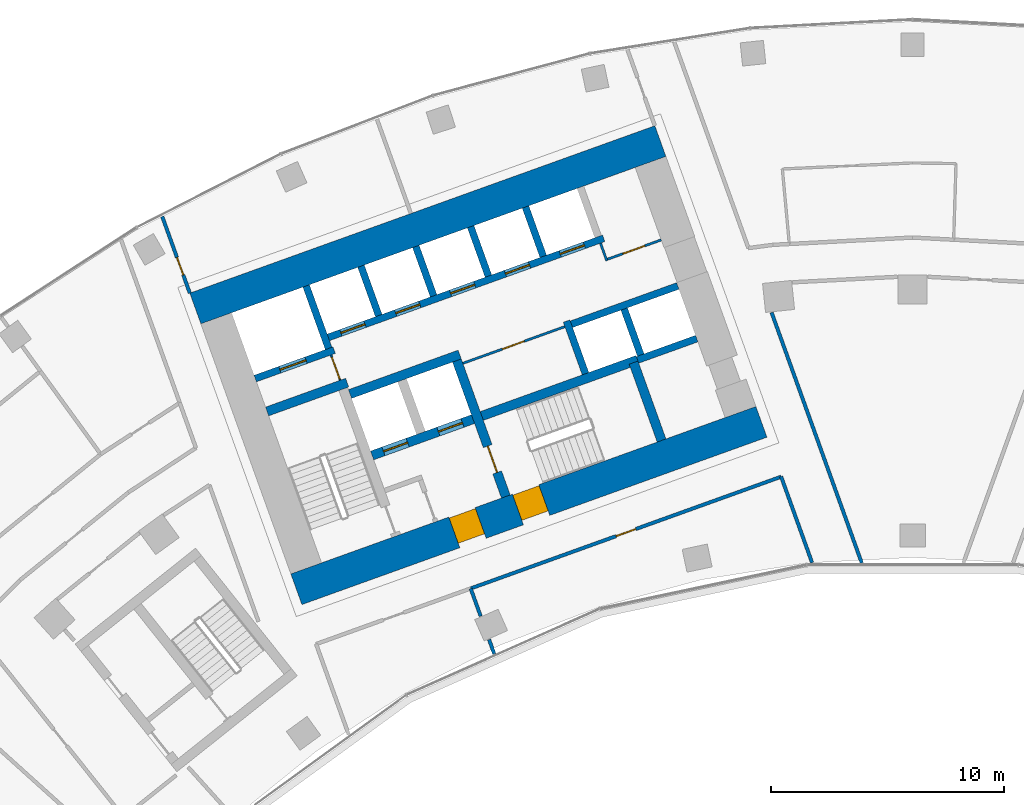
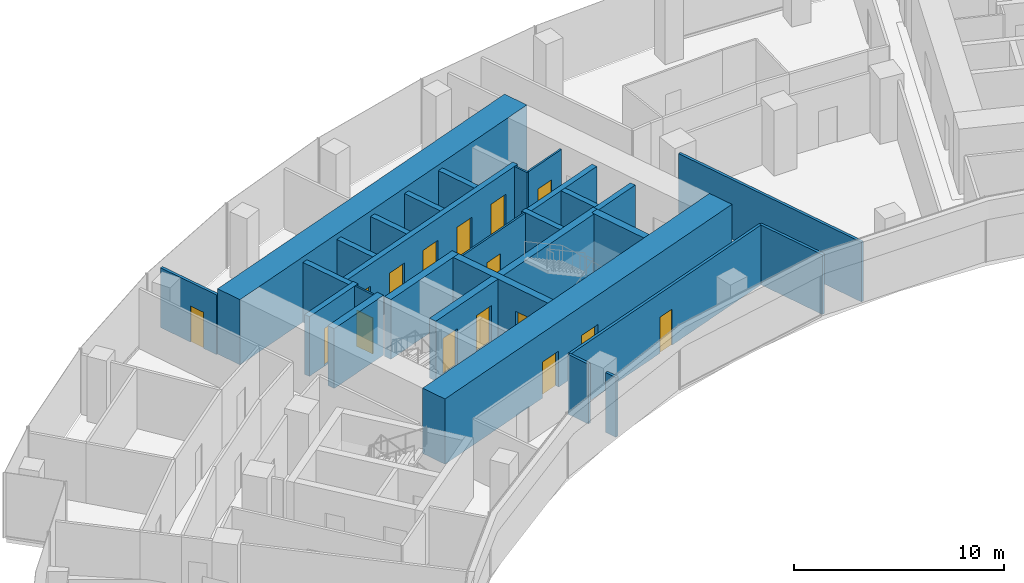
# One storey, part 14 of 20: 28 walls, 16 doors, 16 openings.
"""IFC4 building model written with IfcOpenShell, lengths in metres."""

from ifc_helpers import new_model, si_unit, direction, frame, frame_2d, origin, place, context, subcontext, project, spatial, rectangle, extrude, material, layer, layer_set, type_object, element, fill, save


model = new_model("IFC4")

# Units and contexts
model_context = context("Model", 3, precision=1e-05, world=origin(), true_north=direction((0.0, 1.0)))
body_context = subcontext(model_context, "Body", "Model", "MODEL_VIEW")
ifc_project = project(units=[si_unit("LENGTHUNIT", "METRE"), si_unit("AREAUNIT", "SQUARE_METRE"), si_unit("VOLUMEUNIT", "CUBIC_METRE"), si_unit("PLANEANGLEUNIT", "RADIAN"), si_unit("MASSUNIT", "GRAM", prefix="KILO")], contexts=[model_context])

# Site, building, storey
site_placement = place(None, origin())
site = spatial("IfcSite", under=ifc_project, at=site_placement, CompositionType="ELEMENT")
building_placement = place(site_placement, origin())
building = spatial("IfcBuilding", under=site, at=building_placement, Name="Stone Belt Terrace Tower", CompositionType="ELEMENT")
storey_placement = place(building_placement, frame((0.0, 0.0, 185.800048828125)))
storey = spatial("IfcBuildingStorey", under=building, at=storey_placement, Name="L45", CompositionType="ELEMENT", Elevation=185.800048828125)

# Wall, opening, door
ifc_material_1 = material(Name="Plasterboard partition")
ifc_layer_1 = layer(ifc_material_1, 0.10009765625)
ifc_layer_set_1 = layer_set([ifc_layer_1], Name="Core partition 100")
wall_type_1 = type_object("IfcWallType", Name="Core partition 100", PredefinedType="PARTITIONING", material=ifc_layer_set_1)
wall_1_placement = place(storey_placement, frame((-24.555908203125, 51.10400390625, 0.0), z_axis=(0.0, 0.0, 1.0), x_axis=(-0.338621735342, 0.94092258999, 0.0)))
wall_1 = element("IfcWall", 1, at=wall_1_placement, inside=storey, type_object=wall_type_1, Name="Core A wall", PredefinedType="PARTITIONING", context=body_context, shape_type="SweptSolid", body=[
    extrude(rectangle(XDim=1.14990234375, YDim=0.10009765625, at=frame_2d((0.574951171875, 0.0))), origin(), (0.0, 0.0, 1.0), 3.47998046875),
])
opening_1_placement = place(wall_1_placement, frame((0.050048828125, 0.0, 0.0)))
opening_1 = element("IfcOpeningElement", 2, at=opening_1_placement, cuts=wall_1, Name="Opening L45-C03", PredefinedType="OPENING", context=body_context, shape_type="SweptSolid", body=[
    extrude(rectangle(XDim=1.0, YDim=2.10009765625, at=frame_2d((0.5, 1.050048828125))), frame((0.0, 0.06005859375, 0.0), z_axis=(0.0, -1.0, 0.0), x_axis=(1.0, 0.0, 0.0)), (0.0, 0.0, 1.0), 0.1201171875),
])
ifc_material_2 = material(Name="Timber door leaf", Category="wood")
door_type_1 = type_object("IfcDoorType", Name="Core room door 1000", OperationType="SINGLE_SWING_LEFT", PredefinedType="DOOR", material=ifc_material_2)
door_1_placement = place(opening_1_placement, origin())
door_1 = element("IfcDoor", 3, at=door_1_placement, inside=storey, type_object=door_type_1, Name="Service lift lobby door core A", OperationType="SINGLE_SWING_RIGHT", OverallHeight=2.10009765625, OverallWidth=1.0, PredefinedType="DOOR", context=body_context, shape_type="SweptSolid", body=[
    extrude(rectangle(XDim=1.0, YDim=2.10009765625, at=frame_2d((0.5, 1.050048828125))), frame((0.0, 0.02490234375, 0.0), z_axis=(0.0, -1.0, 0.0), x_axis=(1.0, 0.0, 0.0)), (0.0, 0.0, 1.0), 0.050048828125),
])
fill(opening_1, door_1)

wall_2_placement = place(storey_placement, frame((-19.29052734375, 51.829833984375, 0.0), z_axis=(0.0, 0.0, 1.0), x_axis=(0.940930240745, 0.338600475563, 0.0)))
wall_2 = element("IfcWall", 4, at=wall_2_placement, inside=storey, type_object=wall_type_1, Name="Core A wall", PredefinedType="PARTITIONING", context=body_context, shape_type="SweptSolid", body=[
    extrude(rectangle(XDim=4.64990234375, YDim=0.10009765625, at=frame_2d((2.324951171875, 0.0))), origin(), (0.0, 0.0, 1.0), 3.47998046875),
])
opening_2_placement = place(wall_2_placement, frame((1.800048828125, 0.0, 0.0)))
opening_2 = element("IfcOpeningElement", 5, at=opening_2_placement, cuts=wall_2, Name="Opening L45-C02", PredefinedType="OPENING", context=body_context, shape_type="SweptSolid", body=[
    extrude(rectangle(XDim=1.0, YDim=2.10009765625, at=frame_2d((0.5, 1.050048828125))), frame((0.0, 0.06005859375, 0.0), z_axis=(0.0, -1.0, 0.0), x_axis=(1.0, 0.0, 0.0)), (0.0, 0.0, 1.0), 0.1201171875),
])
door_2_placement = place(opening_2_placement, origin())
door_2 = element("IfcDoor", 6, at=door_2_placement, inside=storey, type_object=door_type_1, Name="Door to Staff pantry core A", OperationType="SINGLE_SWING_RIGHT", OverallHeight=2.10009765625, OverallWidth=1.0, PredefinedType="DOOR", context=body_context, shape_type="SweptSolid", body=[
    extrude(rectangle(XDim=1.0, YDim=2.10009765625, at=frame_2d((0.5, 1.050048828125))), frame((0.0, 0.02490234375, 0.0), z_axis=(0.0, -1.0, 0.0), x_axis=(1.0, 0.0, 0.0)), (0.0, 0.0, 1.0), 0.050048828125),
])
fill(opening_2, door_2)

# Wall
wall_3_placement = place(storey_placement, frame((-13.115966796875, 56.230712890625, 0.0), z_axis=(0.0, 0.0, 1.0), x_axis=(-0.338481684961, 0.940972979923, 0.0)))
element("IfcWall", 7, at=wall_3_placement, inside=storey, type_object=wall_type_1, Name="Core A wall", PredefinedType="PARTITIONING", context=body_context, shape_type="SweptSolid", body=[
    extrude(rectangle(XDim=0.7998046875, YDim=0.10009765625, at=frame_2d((0.39990234375, 0.0))), origin(), (0.0, 0.0, 1.0), 3.47998046875),
])

# Wall, opening, door
wall_4_placement = place(storey_placement, frame((-13.085693359375, 56.294677734375, 0.0), z_axis=(0.0, 0.0, 1.0), x_axis=(0.940922976849, 0.338620660383, 0.0)))
wall_4 = element("IfcWall", 8, at=wall_4_placement, inside=storey, type_object=wall_type_1, Name="Core A wall", PredefinedType="PARTITIONING", context=body_context, shape_type="SweptSolid", body=[
    extrude(rectangle(XDim=2.449951171875, YDim=0.10009765625, at=frame_2d((1.22509765625, 0.0))), origin(), (0.0, 0.0, 1.0), 3.47998046875),
])
opening_3_placement = place(wall_4_placement, frame((0.699951171875, 0.0, 0.0)))
opening_3 = element("IfcOpeningElement", 9, at=opening_3_placement, cuts=wall_4, Name="Opening L45-C01", PredefinedType="OPENING", context=body_context, shape_type="SweptSolid", body=[
    extrude(rectangle(XDim=1.0, YDim=2.10009765625, at=frame_2d((0.5, 1.050048828125))), frame((0.0, 0.06005859375, 0.0), z_axis=(0.0, -1.0, 0.0), x_axis=(1.0, 0.0, 0.0)), (0.0, 0.0, 1.0), 0.1201171875),
])
door_3_placement = place(opening_3_placement, origin())
door_3 = element("IfcDoor", 10, at=door_3_placement, inside=storey, type_object=door_type_1, Name="Door to Meeting store core A", OperationType="SINGLE_SWING_RIGHT", OverallHeight=2.10009765625, OverallWidth=1.0, PredefinedType="DOOR", context=body_context, shape_type="SweptSolid", body=[
    extrude(rectangle(XDim=1.0, YDim=2.10009765625, at=frame_2d((0.5, 1.050048828125))), frame((0.0, 0.02490234375, 0.0), z_axis=(0.0, -1.0, 0.0), x_axis=(1.0, 0.0, 0.0)), (0.0, 0.0, 1.0), 0.050048828125),
])
fill(opening_3, door_3)

# Wall, openings, doors
ifc_material_3 = material(Name="Concrete B80", Category="concrete")
ifc_layer_2 = layer(ifc_material_3, 1.39990234375)
ifc_layer_set_2 = layer_set([ifc_layer_2], Name="Core wall 1400 B80")
wall_type_2 = type_object("IfcWallType", Name="Core wall 1400 B80", PredefinedType="SHEAR", material=ifc_layer_set_2)
wall_5_placement = place(storey_placement, frame((-26.430908203125, 42.139404296875, 0.0), z_axis=(0.0, 0.0, 1.0), x_axis=(0.940923374003, 0.33861955681, 0.0)))
wall_5 = element("IfcWall", 11, at=wall_5_placement, inside=storey, type_object=wall_type_2, Name="Core A wall concave L45", PredefinedType="SHEAR", context=body_context, shape_type="SweptSolid", body=[
    extrude(rectangle(XDim=21.199951171875, YDim=1.39990234375, at=frame_2d((10.60009765625, 0.0))), origin(), (0.0, 0.0, 1.0), 3.800048828125),
])
opening_4_placement = place(wall_5_placement, frame((7.199951171875, 0.0, 0.0)))
opening_4 = element("IfcOpeningElement", 12, at=opening_4_placement, cuts=wall_5, Name="Opening L45-C07", PredefinedType="OPENING", context=body_context, shape_type="SweptSolid", body=[
    extrude(rectangle(XDim=1.199951171875, YDim=2.10009765625, at=frame_2d((0.60009765625, 1.050048828125))), frame((0.0, 0.7099609375, 0.0), z_axis=(0.0, -1.0, 0.0), x_axis=(1.0, 0.0, 0.0)), (0.0, 0.0, 1.0), 1.419921875),
])
opening_5_placement = place(wall_5_placement, frame((10.099853515625, 0.0, 0.0)))
opening_5 = element("IfcOpeningElement", 13, at=opening_5_placement, cuts=wall_5, Name="Opening L45-C09", PredefinedType="OPENING", context=body_context, shape_type="SweptSolid", body=[
    extrude(rectangle(XDim=1.199951171875, YDim=2.10009765625, at=frame_2d((0.60009765625, 1.050048828125))), frame((0.0, 0.7099609375, 0.0), z_axis=(0.0, -1.0, 0.0), x_axis=(1.0, 0.0, 0.0)), (0.0, 0.0, 1.0), 1.419921875),
])
ifc_material_4 = material(Name="Steel door leaf", Category="steel")
door_type_2 = type_object("IfcDoorType", Name="Fire-fighting lobby door 1200", OperationType="SINGLE_SWING_LEFT", PredefinedType="DOOR", material=ifc_material_4)
door_4_placement = place(opening_4_placement, origin())
door_4 = element("IfcDoor", 14, at=door_4_placement, inside=storey, type_object=door_type_2, Name="Fire-fighting lobby door core A", OperationType="SINGLE_SWING_RIGHT", OverallHeight=2.10009765625, OverallWidth=1.199951171875, PredefinedType="DOOR", context=body_context, shape_type="SweptSolid", body=[
    extrude(rectangle(XDim=1.199951171875, YDim=2.10009765625, at=frame_2d((0.60009765625, 1.050048828125))), frame((0.0, 0.655029296875, 0.0), z_axis=(0.0, -1.0, 0.0), x_axis=(1.0, 0.0, 0.0)), (0.0, 0.0, 1.0), 1.14990234375),
])
fill(opening_4, door_4)
door_type_3 = type_object("IfcDoorType", Name="Stair door 1200", OperationType="SINGLE_SWING_LEFT", PredefinedType="DOOR", material=ifc_material_4)
door_5_placement = place(opening_5_placement, origin())
door_5 = element("IfcDoor", 15, at=door_5_placement, inside=storey, type_object=door_type_3, Name="Stair 2 exit door core A", OperationType="SINGLE_SWING_LEFT", OverallHeight=2.10009765625, OverallWidth=1.199951171875, PredefinedType="DOOR", context=body_context, shape_type="SweptSolid", body=[
    extrude(rectangle(XDim=1.199951171875, YDim=2.10009765625, at=frame_2d((0.60009765625, 1.050048828125))), frame((0.0, 0.655029296875, 0.0), z_axis=(0.0, -1.0, 0.0), x_axis=(1.0, 0.0, 0.0)), (0.0, 0.0, 1.0), 1.14990234375),
])
fill(opening_5, door_5)

# Walls
wall_6_placement = place(storey_placement, frame((-30.765380859375, 54.18310546875, 0.0), z_axis=(0.0, 0.0, 1.0), x_axis=(0.940919704758, 0.338629752382, 0.0)))
element("IfcWall", 16, at=wall_6_placement, inside=storey, type_object=wall_type_2, Name="Core A wall convex L45", PredefinedType="SHEAR", context=body_context, shape_type="SweptSolid", body=[
    extrude(rectangle(XDim=21.199951171875, YDim=1.39990234375, at=frame_2d((10.60009765625, 0.0))), origin(), (0.0, 0.0, 1.0), 3.800048828125),
])
ifc_layer_3 = layer(ifc_material_3, 0.39990234375)
ifc_layer_set_3 = layer_set([ifc_layer_3], Name="Fire-fighting lift shaft wall 400")
wall_type_3 = type_object("IfcWallType", Name="Fire-fighting lift shaft wall 400", PredefinedType="SHEAR", material=ifc_layer_set_3)
wall_7_placement = place(storey_placement, frame((-24.130615234375, 50.512939453125, 0.0), z_axis=(0.0, 0.0, 1.0), x_axis=(0.94091168377, 0.338652038744, 0.0)))
element("IfcWall", 17, at=wall_7_placement, inside=storey, type_object=wall_type_3, Name="Core A wall", PredefinedType="SHEAR", context=body_context, shape_type="SweptSolid", body=[
    extrude(rectangle(XDim=5.000244140625, YDim=0.39990234375, at=frame_2d((2.5, 0.0))), origin(), (0.0, 0.0, 1.0), 3.47998046875),
])

# Wall, opening, door
ifc_layer_4 = layer(ifc_material_3, 0.300048828125)
ifc_layer_set_4 = layer_set([ifc_layer_4], Name="Lift shaft wall 300")
wall_type_4 = type_object("IfcWallType", Name="Lift shaft wall 300", PredefinedType="SHEAR", material=ifc_layer_set_4)
wall_8_placement = place(storey_placement, frame((-28.195068359375, 51.17578125, 0.0), z_axis=(0.0, 0.0, 1.0), x_axis=(0.940901243567, 0.338681044427, 0.0)))
wall_8 = element("IfcWall", 18, at=wall_8_placement, inside=storey, type_object=wall_type_4, Name="Core A wall", PredefinedType="SHEAR", context=body_context, shape_type="SweptSolid", body=[
    extrude(rectangle(XDim=3.599853515625, YDim=0.300048828125, at=frame_2d((1.7998046875, 0.0))), origin(), (0.0, 0.0, 1.0), 3.47998046875),
])
opening_6_placement = place(wall_8_placement, frame((1.1201171875, 0.0, 0.0)))
opening_6 = element("IfcOpeningElement", 19, at=opening_6_placement, cuts=wall_8, Name="Opening L45-LD08", PredefinedType="OPENING", context=body_context, shape_type="SweptSolid", body=[
    extrude(rectangle(XDim=1.199951171875, YDim=2.199951171875, at=frame_2d((0.60009765625, 1.10009765625))), frame((0.0, 0.159912109375, 0.0), z_axis=(0.0, -1.0, 0.0), x_axis=(1.0, 0.0, 0.0)), (0.0, 0.0, 1.0), 0.320068359375),
])
ifc_material_5 = material(Name="Stainless steel door leaf", Category="steel")
door_type_4 = type_object("IfcDoorType", Name="Landing door 1200", OperationType="SLIDING_TO_LEFT", PredefinedType="DOOR", material=ifc_material_5)
door_6_placement = place(opening_6_placement, origin())
door_6 = element("IfcDoor", 20, at=door_6_placement, inside=storey, type_object=door_type_4, Name="Landing door SV1 core A", OperationType="SLIDING_TO_LEFT", OverallHeight=2.199951171875, OverallWidth=1.199951171875, PredefinedType="DOOR", context=body_context, shape_type="SweptSolid", body=[
    extrude(rectangle(XDim=1.199951171875, YDim=2.199951171875, at=frame_2d((0.60009765625, 1.10009765625))), frame((0.0, 0.02490234375, 0.0), z_axis=(0.0, -1.0, 0.0), x_axis=(1.0, 0.0, 0.0)), (0.0, 0.0, 1.0), 0.050048828125),
])
fill(opening_6, door_6)

# Wall
wall_9_placement = place(storey_placement, frame((-25.046875, 52.46826171875, 0.0), z_axis=(0.0, 0.0, 1.0), x_axis=(-0.338549588058, 0.940948551423, 0.0)))
element("IfcWall", 21, at=wall_9_placement, inside=storey, type_object=wall_type_4, Name="Core A wall", PredefinedType="SHEAR", context=body_context, shape_type="SweptSolid", body=[
    extrude(rectangle(XDim=2.849853515625, YDim=0.300048828125, at=frame_2d((1.4248046875, 0.0))), origin(), (0.0, 0.0, 1.0), 3.47998046875),
])

# Wall, openings, doors
wall_10_placement = place(storey_placement, frame((-25.05810546875, 52.9423828125, 0.0), z_axis=(0.0, 0.0, 1.0), x_axis=(0.940921381676, 0.338625092847, 0.0)))
wall_10 = element("IfcWall", 22, at=wall_10_placement, inside=storey, type_object=wall_type_4, Name="Core A wall", PredefinedType="SHEAR", context=body_context, shape_type="SweptSolid", body=[
    extrude(rectangle(XDim=12.550048828125, YDim=0.300048828125, at=frame_2d((6.27490234375, 0.0))), origin(), (0.0, 0.0, 1.0), 3.47998046875),
])
opening_7_placement = place(wall_10_placement, frame((0.570068359375, 0.0, 0.0)))
opening_7 = element("IfcOpeningElement", 23, at=opening_7_placement, cuts=wall_10, Name="Opening L45-LD01", PredefinedType="OPENING", context=body_context, shape_type="SweptSolid", body=[
    extrude(rectangle(XDim=1.10009765625, YDim=2.199951171875, at=frame_2d((0.550048828125, 1.10009765625))), frame((0.0, 0.159912109375, 0.0), z_axis=(0.0, -1.0, 0.0), x_axis=(1.0, 0.0, 0.0)), (0.0, 0.0, 1.0), 0.320068359375),
])
opening_8_placement = place(wall_10_placement, frame((3.070068359375, 0.0, 0.0)))
opening_8 = element("IfcOpeningElement", 24, at=opening_8_placement, cuts=wall_10, Name="Opening L45-LD02", PredefinedType="OPENING", context=body_context, shape_type="SweptSolid", body=[
    extrude(rectangle(XDim=1.10009765625, YDim=2.199951171875, at=frame_2d((0.550048828125, 1.10009765625))), frame((0.0, 0.159912109375, 0.0), z_axis=(0.0, -1.0, 0.0), x_axis=(1.0, 0.0, 0.0)), (0.0, 0.0, 1.0), 0.320068359375),
])
opening_9_placement = place(wall_10_placement, frame((5.570068359375, 0.0, 0.0)))
opening_9 = element("IfcOpeningElement", 25, at=opening_9_placement, cuts=wall_10, Name="Opening L45-LD03", PredefinedType="OPENING", context=body_context, shape_type="SweptSolid", body=[
    extrude(rectangle(XDim=1.10009765625, YDim=2.199951171875, at=frame_2d((0.550048828125, 1.10009765625))), frame((0.0, 0.159912109375, 0.0), z_axis=(0.0, -1.0, 0.0), x_axis=(1.0, 0.0, 0.0)), (0.0, 0.0, 1.0), 0.320068359375),
])
opening_10_placement = place(wall_10_placement, frame((8.070068359375, 0.0, 0.0)))
opening_10 = element("IfcOpeningElement", 26, at=opening_10_placement, cuts=wall_10, Name="Opening L45-LD04", PredefinedType="OPENING", context=body_context, shape_type="SweptSolid", body=[
    extrude(rectangle(XDim=1.10009765625, YDim=2.199951171875, at=frame_2d((0.550048828125, 1.10009765625))), frame((0.0, 0.159912109375, 0.0), z_axis=(0.0, -1.0, 0.0), x_axis=(1.0, 0.0, 0.0)), (0.0, 0.0, 1.0), 0.320068359375),
])
opening_11_placement = place(wall_10_placement, frame((10.570068359375, 0.0, 0.0)))
opening_11 = element("IfcOpeningElement", 27, at=opening_11_placement, cuts=wall_10, Name="Opening L45-LD05", PredefinedType="OPENING", context=body_context, shape_type="SweptSolid", body=[
    extrude(rectangle(XDim=1.10009765625, YDim=2.199951171875, at=frame_2d((0.550048828125, 1.10009765625))), frame((0.0, 0.159912109375, 0.0), z_axis=(0.0, -1.0, 0.0), x_axis=(1.0, 0.0, 0.0)), (0.0, 0.0, 1.0), 0.320068359375),
])
door_type_5 = type_object("IfcDoorType", Name="Landing door 1100", OperationType="SLIDING_TO_LEFT", PredefinedType="DOOR", material=ifc_material_5)
door_7_placement = place(opening_7_placement, origin())
door_7 = element("IfcDoor", 28, at=door_7_placement, inside=storey, type_object=door_type_5, Name="Landing door MR1 core A", OperationType="SLIDING_TO_LEFT", OverallHeight=2.199951171875, OverallWidth=1.10009765625, PredefinedType="DOOR", context=body_context, shape_type="SweptSolid", body=[
    extrude(rectangle(XDim=1.10009765625, YDim=2.199951171875, at=frame_2d((0.550048828125, 1.10009765625))), frame((0.0, 0.02490234375, 0.0), z_axis=(0.0, -1.0, 0.0), x_axis=(1.0, 0.0, 0.0)), (0.0, 0.0, 1.0), 0.050048828125),
])
fill(opening_7, door_7)
door_8_placement = place(opening_8_placement, origin())
door_8 = element("IfcDoor", 29, at=door_8_placement, inside=storey, type_object=door_type_5, Name="Landing door MR2 core A", OperationType="SLIDING_TO_LEFT", OverallHeight=2.199951171875, OverallWidth=1.10009765625, PredefinedType="DOOR", context=body_context, shape_type="SweptSolid", body=[
    extrude(rectangle(XDim=1.10009765625, YDim=2.199951171875, at=frame_2d((0.550048828125, 1.10009765625))), frame((0.0, 0.02490234375, 0.0), z_axis=(0.0, -1.0, 0.0), x_axis=(1.0, 0.0, 0.0)), (0.0, 0.0, 1.0), 0.050048828125),
])
fill(opening_8, door_8)
door_9_placement = place(opening_9_placement, origin())
door_9 = element("IfcDoor", 30, at=door_9_placement, inside=storey, type_object=door_type_5, Name="Landing door MR3 core A", OperationType="SLIDING_TO_LEFT", OverallHeight=2.199951171875, OverallWidth=1.10009765625, PredefinedType="DOOR", context=body_context, shape_type="SweptSolid", body=[
    extrude(rectangle(XDim=1.10009765625, YDim=2.199951171875, at=frame_2d((0.550048828125, 1.10009765625))), frame((0.0, 0.02490234375, 0.0), z_axis=(0.0, -1.0, 0.0), x_axis=(1.0, 0.0, 0.0)), (0.0, 0.0, 1.0), 0.050048828125),
])
fill(opening_9, door_9)
door_10_placement = place(opening_10_placement, origin())
door_10 = element("IfcDoor", 31, at=door_10_placement, inside=storey, type_object=door_type_5, Name="Landing door MR4 core A", OperationType="SLIDING_TO_LEFT", OverallHeight=2.199951171875, OverallWidth=1.10009765625, PredefinedType="DOOR", context=body_context, shape_type="SweptSolid", body=[
    extrude(rectangle(XDim=1.10009765625, YDim=2.199951171875, at=frame_2d((0.550048828125, 1.10009765625))), frame((0.0, 0.02490234375, 0.0), z_axis=(0.0, -1.0, 0.0), x_axis=(1.0, 0.0, 0.0)), (0.0, 0.0, 1.0), 0.050048828125),
])
fill(opening_10, door_10)
door_11_placement = place(opening_11_placement, origin())
door_11 = element("IfcDoor", 32, at=door_11_placement, inside=storey, type_object=door_type_5, Name="Landing door MR5 core A", OperationType="SLIDING_TO_LEFT", OverallHeight=2.199951171875, OverallWidth=1.10009765625, PredefinedType="DOOR", context=body_context, shape_type="SweptSolid", body=[
    extrude(rectangle(XDim=1.10009765625, YDim=2.199951171875, at=frame_2d((0.550048828125, 1.10009765625))), frame((0.0, 0.02490234375, 0.0), z_axis=(0.0, -1.0, 0.0), x_axis=(1.0, 0.0, 0.0)), (0.0, 0.0, 1.0), 0.050048828125),
])
fill(opening_11, door_11)

# Walls
wall_11_placement = place(storey_placement, frame((-22.897705078125, 53.87939453125, 0.0), z_axis=(0.0, 0.0, 1.0), x_axis=(-0.338535034312, 0.940953787677, 0.0)))
element("IfcWall", 33, at=wall_11_placement, inside=storey, type_object=wall_type_4, Name="Core A wall", PredefinedType="SHEAR", context=body_context, shape_type="SweptSolid", body=[
    extrude(rectangle(XDim=2.25, YDim=0.300048828125, at=frame_2d((1.125, 0.0))), origin(), (0.0, 0.0, 1.0), 3.47998046875),
])
wall_12_placement = place(storey_placement, frame((-20.54541015625, 54.72607421875, 0.0), z_axis=(0.0, 0.0, 1.0), x_axis=(-0.338569601369, 0.940941350472, 0.0)))
element("IfcWall", 34, at=wall_12_placement, inside=storey, type_object=wall_type_4, Name="Core A wall", PredefinedType="SHEAR", context=body_context, shape_type="SweptSolid", body=[
    extrude(rectangle(XDim=2.249755859375, YDim=0.300048828125, at=frame_2d((1.125, 0.0))), origin(), (0.0, 0.0, 1.0), 3.47998046875),
])
wall_13_placement = place(storey_placement, frame((-18.193115234375, 55.572509765625, 0.0), z_axis=(0.0, 0.0, 1.0), x_axis=(-0.338535034312, 0.940953787677, 0.0)))
element("IfcWall", 35, at=wall_13_placement, inside=storey, type_object=wall_type_4, Name="Core A wall", PredefinedType="SHEAR", context=body_context, shape_type="SweptSolid", body=[
    extrude(rectangle(XDim=2.25, YDim=0.300048828125, at=frame_2d((1.125, 0.0))), origin(), (0.0, 0.0, 1.0), 3.47998046875),
])
wall_14_placement = place(storey_placement, frame((-14.029052734375, 51.38525390625, 0.0), z_axis=(0.0, 0.0, 1.0), x_axis=(-0.338661829791, 0.940908159728, 0.0)))
element("IfcWall", 36, at=wall_14_placement, inside=storey, type_object=wall_type_4, Name="Core A wall", PredefinedType="SHEAR", context=body_context, shape_type="SweptSolid", body=[
    extrude(rectangle(XDim=2.39990234375, YDim=0.300048828125, at=frame_2d((1.199951171875, 0.0))), origin(), (0.0, 0.0, 1.0), 3.47998046875),
])
wall_15_placement = place(storey_placement, frame((-14.6328125, 53.506103515625, 0.0), z_axis=(0.0, 0.0, 1.0), x_axis=(0.940931684323, 0.338596464007, 0.0)))
element("IfcWall", 37, at=wall_15_placement, inside=storey, type_object=wall_type_4, Name="Core A wall", PredefinedType="SHEAR", context=body_context, shape_type="SweptSolid", body=[
    extrude(rectangle(XDim=4.849609375, YDim=0.300048828125, at=frame_2d((2.4248046875, 0.0))), origin(), (0.0, 0.0, 1.0), 3.47998046875),
])
wall_16_placement = place(storey_placement, frame((-15.8408203125, 56.419189453125, 0.0), z_axis=(0.0, 0.0, 1.0), x_axis=(-0.338569601369, 0.940941350472, 0.0)))
element("IfcWall", 38, at=wall_16_placement, inside=storey, type_object=wall_type_4, Name="Core A wall", PredefinedType="SHEAR", context=body_context, shape_type="SweptSolid", body=[
    extrude(rectangle(XDim=2.249755859375, YDim=0.300048828125, at=frame_2d((1.125, 0.0))), origin(), (0.0, 0.0, 1.0), 3.47998046875),
])
wall_17_placement = place(storey_placement, frame((-11.797119140625, 51.975830078125, 0.0), z_axis=(0.0, 0.0, 1.0), x_axis=(0.940910465161, 0.33865542451, 0.0)))
element("IfcWall", 39, at=wall_17_placement, inside=storey, type_object=wall_type_4, Name="Core A wall", PredefinedType="SHEAR", context=body_context, shape_type="SweptSolid", body=[
    extrude(rectangle(XDim=2.69970703125, YDim=0.300048828125, at=frame_2d((1.349853515625, 0.0))), origin(), (0.0, 0.0, 1.0), 3.47998046875),
])
wall_18_placement = place(storey_placement, frame((-11.659912109375, 52.184814453125, 0.0), z_axis=(0.0, 0.0, 1.0), x_axis=(-0.338670064856, 0.940905195634, 0.0)))
element("IfcWall", 40, at=wall_18_placement, inside=storey, type_object=wall_type_4, Name="Core A wall", PredefinedType="SHEAR", context=body_context, shape_type="SweptSolid", body=[
    extrude(rectangle(XDim=2.099853515625, YDim=0.300048828125, at=frame_2d((1.0498046875, 0.0))), origin(), (0.0, 0.0, 1.0), 3.47998046875),
])

# Wall, opening, door
ifc_material_6 = material(Name="Gypsum board partition")
ifc_layer_5 = layer(ifc_material_6, 0.14990234375)
ifc_layer_set_5 = layer_set([ifc_layer_5], Name="PARTITION 150 EI 60")
wall_type_5 = type_object("IfcWallType", Name="PARTITION 150 EI 60", PredefinedType="PARTITIONING", material=ifc_layer_set_5)
wall_19_placement = place(storey_placement, frame((-32.185791015625, 58.131103515625, 0.0), z_axis=(0.0, 0.0, 1.0), x_axis=(0.338662585219, -0.940907887826, 0.0)))
wall_19 = element("IfcWall", 41, at=wall_19_placement, inside=storey, type_object=wall_type_5, Name="L45/wall/i002", PredefinedType="PARTITIONING", context=body_context, shape_type="SweptSolid", body=[
    extrude(rectangle(XDim=3.49560546875, YDim=0.14990234375, at=frame_2d((1.747802734375, 0.0))), origin(), (0.0, 0.0, 1.0), 3.47998046875),
])
opening_12_placement = place(wall_19_placement, frame((1.871826171875, 0.0, 0.0)))
opening_12 = element("IfcOpeningElement", 42, at=opening_12_placement, cuts=wall_19, Name="Opening D-C5-03", PredefinedType="OPENING", context=body_context, shape_type="SweptSolid", body=[
    extrude(rectangle(XDim=0.800048828125, YDim=2.10009765625, at=frame_2d((0.39990234375, 1.050048828125))), frame((0.0, 0.0849609375, 0.0), z_axis=(0.0, -1.0, 0.0), x_axis=(1.0, 0.0, 0.0)), (0.0, 0.0, 1.0), 0.169921875),
])
door_type_6 = type_object("IfcDoorType", Name="STORE DOOR 800 X 2100", OperationType="NOTDEFINED", PredefinedType="DOOR", material=ifc_material_2)
door_12_placement = place(opening_12_placement, origin())
door_12 = element("IfcDoor", 43, at=door_12_placement, inside=storey, type_object=door_type_6, Name="L45/door/i03", OperationType="SINGLE_SWING_RIGHT", OverallHeight=2.10009765625, OverallWidth=0.800048828125, PredefinedType="DOOR", context=body_context, shape_type="SweptSolid", body=[
    extrude(rectangle(XDim=0.800048828125, YDim=2.10009765625, at=frame_2d((0.39990234375, 1.050048828125))), frame((0.0, 0.02490234375, 0.0), z_axis=(0.0, -1.0, 0.0), x_axis=(1.0, 0.0, 0.0)), (0.0, 0.0, 1.0), 0.050048828125),
])
fill(opening_12, door_12)

# Walls
wall_20_placement = place(storey_placement, frame((-4.31005859375, 43.27783203125, 0.0), z_axis=(0.0, 0.0, 1.0), x_axis=(-0.338490436495, 0.940969831823, 0.0)))
element("IfcWall", 44, at=wall_20_placement, inside=storey, type_object=wall_type_5, Name="L45/wall/i007", PredefinedType="PARTITIONING", context=body_context, shape_type="SweptSolid", body=[
    extrude(rectangle(XDim=3.92578125, YDim=0.14990234375, at=frame_2d((1.962890625, 0.0))), origin(), (0.0, 0.0, 1.0), 3.47998046875),
])
wall_21_placement = place(storey_placement, frame((-6.046875, 54.0087890625, 0.0), z_axis=(0.0, 0.0, 1.0), x_axis=(0.338658916341, -0.940909208363, 0.0)))
element("IfcWall", 45, at=wall_21_placement, inside=storey, type_object=wall_type_5, Name="L45/wall/i009", PredefinedType="PARTITIONING", context=body_context, shape_type="SweptSolid", body=[
    extrude(rectangle(XDim=11.422119140625, YDim=0.14990234375, at=frame_2d((5.7109375, 0.0))), origin(), (0.0, 0.0, 1.0), 3.47998046875),
])

# Wall, opening, door
wall_22_placement = place(storey_placement, frame((-5.636962890625, 46.966064453125, 0.0), z_axis=(0.0, 0.0, 1.0), x_axis=(-0.940912466346, -0.338649864424, 0.0)))
wall_22 = element("IfcWall", 46, at=wall_22_placement, inside=storey, type_object=wall_type_5, Name="L45/wall/i012", PredefinedType="PARTITIONING", context=body_context, shape_type="SweptSolid", body=[
    extrude(rectangle(XDim=14.15966796875, YDim=0.14990234375, at=frame_2d((7.079833984375, 0.0))), origin(), (0.0, 0.0, 1.0), 3.47998046875),
])
opening_13_placement = place(wall_22_placement, frame((6.6298828125, 0.0, 0.0)))
opening_13 = element("IfcOpeningElement", 47, at=opening_13_placement, cuts=wall_22, Name="Opening D-C5-02", PredefinedType="OPENING", context=body_context, shape_type="SweptSolid", body=[
    extrude(rectangle(XDim=0.89990234375, YDim=2.10009765625, at=frame_2d((0.449951171875, 1.050048828125))), frame((0.0, 0.0849609375, 0.0), z_axis=(0.0, -1.0, 0.0), x_axis=(1.0, 0.0, 0.0)), (0.0, 0.0, 1.0), 0.169921875),
])
door_type_7 = type_object("IfcDoorType", Name="OFFICE DOOR 900 X 2100", OperationType="NOTDEFINED", PredefinedType="DOOR", material=ifc_material_2)
door_13_placement = place(opening_13_placement, origin())
door_13 = element("IfcDoor", 48, at=door_13_placement, inside=storey, type_object=door_type_7, Name="L45/door/i02", OperationType="SINGLE_SWING_RIGHT", OverallHeight=2.10009765625, OverallWidth=0.89990234375, PredefinedType="DOOR", context=body_context, shape_type="SweptSolid", body=[
    extrude(rectangle(XDim=0.89990234375, YDim=2.10009765625, at=frame_2d((0.449951171875, 1.050048828125))), frame((0.0, 0.02490234375, 0.0), z_axis=(0.0, -1.0, 0.0), x_axis=(1.0, 0.0, 0.0)), (0.0, 0.0, 1.0), 0.050048828125),
])
fill(opening_13, door_13)

# Walls
wall_23_placement = place(storey_placement, frame((-18.9541015625, 42.173095703125, 0.0), z_axis=(0.0, 0.0, 1.0), x_axis=(0.338548592325, -0.940948909684, 0.0)))
element("IfcWall", 49, at=wall_23_placement, inside=storey, type_object=wall_type_5, Name="L45/wall/i013", PredefinedType="PARTITIONING", context=body_context, shape_type="SweptSolid", body=[
    extrude(rectangle(XDim=1.264892578125, YDim=0.14990234375, at=frame_2d((0.63232421875, 0.0))), origin(), (0.0, 0.0, 1.0), 3.47998046875),
])
wall_24_placement = place(storey_placement, frame((-18.166015625, 39.98291015625, 0.0), z_axis=(0.0, 0.0, 1.0), x_axis=(0.338719468273, -0.940887411869, 0.0)))
element("IfcWall", 50, at=wall_24_placement, inside=storey, type_object=wall_type_5, Name="L45/wall/i014", PredefinedType="PARTITIONING", context=body_context, shape_type="SweptSolid", body=[
    extrude(rectangle(XDim=0.6552734375, YDim=0.14990234375, at=frame_2d((0.32763671875, 0.0))), origin(), (0.0, 0.0, 1.0), 3.47998046875),
])
ifc_layer_6 = layer(ifc_material_3, 0.39990234375)
ifc_layer_set_6 = layer_set([ifc_layer_6], Name="Stair enclosure wall 400")
wall_type_6 = type_object("IfcWallType", Name="Stair enclosure wall 400", PredefinedType="SHEAR", material=ifc_layer_set_6)
wall_25_placement = place(storey_placement, frame((-27.687255859375, 49.764404296875, 0.0), z_axis=(0.0, 0.0, 1.0), x_axis=(0.940918954884, 0.338631835981, 0.0)))
element("IfcWall", 51, at=wall_25_placement, inside=storey, type_object=wall_type_6, Name="Core A wall", PredefinedType="SHEAR", context=body_context, shape_type="SweptSolid", body=[
    extrude(rectangle(XDim=3.650146484375, YDim=0.39990234375, at=frame_2d((1.8251953125, 0.0))), origin(), (0.0, 0.0, 1.0), 3.47998046875),
])

# Wall, openings, doors
wall_26_placement = place(storey_placement, frame((-23.182373046875, 47.87841796875, 0.0), z_axis=(0.0, 0.0, 1.0), x_axis=(0.940921101762, 0.338625870628, 0.0)))
wall_26 = element("IfcWall", 52, at=wall_26_placement, inside=storey, type_object=wall_type_6, Name="Core A wall", PredefinedType="SHEAR", context=body_context, shape_type="SweptSolid", body=[
    extrude(rectangle(XDim=12.10009765625, YDim=0.39990234375, at=frame_2d((6.050048828125, 0.0))), origin(), (0.0, 0.0, 1.0), 3.47998046875),
])
opening_14_placement = place(wall_26_placement, frame((0.52001953125, 0.0, 0.0)))
opening_14 = element("IfcOpeningElement", 53, at=opening_14_placement, cuts=wall_26, Name="Opening L45-LD06", PredefinedType="OPENING", context=body_context, shape_type="SweptSolid", body=[
    extrude(rectangle(XDim=1.10009765625, YDim=2.199951171875, at=frame_2d((0.550048828125, 1.10009765625))), frame((0.0, 0.2099609375, 0.0), z_axis=(0.0, -1.0, 0.0), x_axis=(1.0, 0.0, 0.0)), (0.0, 0.0, 1.0), 0.419921875),
])
opening_15_placement = place(wall_26_placement, frame((3.02001953125, 0.0, 0.0)))
opening_15 = element("IfcOpeningElement", 54, at=opening_15_placement, cuts=wall_26, Name="Opening L45-LD07", PredefinedType="OPENING", context=body_context, shape_type="SweptSolid", body=[
    extrude(rectangle(XDim=1.10009765625, YDim=2.199951171875, at=frame_2d((0.550048828125, 1.10009765625))), frame((0.0, 0.2099609375, 0.0), z_axis=(0.0, -1.0, 0.0), x_axis=(1.0, 0.0, 0.0)), (0.0, 0.0, 1.0), 0.419921875),
])
door_14_placement = place(opening_14_placement, origin())
door_14 = element("IfcDoor", 55, at=door_14_placement, inside=storey, type_object=door_type_5, Name="Landing door FF1 core A", OperationType="SLIDING_TO_LEFT", OverallHeight=2.199951171875, OverallWidth=1.10009765625, PredefinedType="DOOR", context=body_context, shape_type="SweptSolid", body=[
    extrude(rectangle(XDim=1.10009765625, YDim=2.199951171875, at=frame_2d((0.550048828125, 1.10009765625))), frame((0.0, 0.02490234375, 0.0), z_axis=(0.0, -1.0, 0.0), x_axis=(1.0, 0.0, 0.0)), (0.0, 0.0, 1.0), 0.050048828125),
])
fill(opening_14, door_14)
door_15_placement = place(opening_15_placement, origin())
door_15 = element("IfcDoor", 56, at=door_15_placement, inside=storey, type_object=door_type_5, Name="Landing door FF2 core A", OperationType="SLIDING_TO_LEFT", OverallHeight=2.199951171875, OverallWidth=1.10009765625, PredefinedType="DOOR", context=body_context, shape_type="SweptSolid", body=[
    extrude(rectangle(XDim=1.10009765625, YDim=2.199951171875, at=frame_2d((0.550048828125, 1.10009765625))), frame((0.0, 0.02490234375, 0.0), z_axis=(0.0, -1.0, 0.0), x_axis=(1.0, 0.0, 0.0)), (0.0, 0.0, 1.0), 0.050048828125),
])
fill(opening_15, door_15)

# Wall, opening, door
wall_27_placement = place(storey_placement, frame((-17.447021484375, 46.116455078125, 0.0), z_axis=(0.0, 0.0, 1.0), x_axis=(-0.33860791464, 0.940927563707, 0.0)))
wall_27 = element("IfcWall", 57, at=wall_27_placement, inside=storey, type_object=wall_type_6, Name="Core A wall", PredefinedType="SHEAR", context=body_context, shape_type="SweptSolid", body=[
    extrude(rectangle(XDim=6.199951171875, YDim=0.39990234375, at=frame_2d((3.10009765625, 0.0))), origin(), (0.0, 0.0, 1.0), 3.47998046875),
])
opening_16_placement = place(wall_27_placement, frame((1.10009765625, 0.0, 0.0)))
opening_16 = element("IfcOpeningElement", 58, at=opening_16_placement, cuts=wall_27, Name="Opening L45-C08", PredefinedType="OPENING", context=body_context, shape_type="SweptSolid", body=[
    extrude(rectangle(XDim=1.199951171875, YDim=2.10009765625, at=frame_2d((0.60009765625, 1.050048828125))), frame((0.0, 0.2099609375, 0.0), z_axis=(0.0, -1.0, 0.0), x_axis=(1.0, 0.0, 0.0)), (0.0, 0.0, 1.0), 0.419921875),
])
door_16_placement = place(opening_16_placement, origin())
door_16 = element("IfcDoor", 59, at=door_16_placement, inside=storey, type_object=door_type_3, Name="Stair 2 door core A", OperationType="SINGLE_SWING_RIGHT", OverallHeight=2.10009765625, OverallWidth=1.199951171875, PredefinedType="DOOR", context=body_context, shape_type="SweptSolid", body=[
    extrude(rectangle(XDim=1.199951171875, YDim=2.10009765625, at=frame_2d((0.60009765625, 1.050048828125))), frame((0.0, 0.02490234375, 0.0), z_axis=(0.0, -1.0, 0.0), x_axis=(1.0, 0.0, 0.0)), (0.0, 0.0, 1.0), 0.050048828125),
])
fill(opening_16, door_16)

# Wall
wall_28_placement = place(storey_placement, frame((-10.766357421875, 48.520751953125, 0.0), z_axis=(0.0, 0.0, 1.0), x_axis=(-0.338626928157, 0.94092072117, 0.0)))
element("IfcWall", 60, at=wall_28_placement, inside=storey, type_object=wall_type_6, Name="Core A wall", PredefinedType="SHEAR", context=body_context, shape_type="SweptSolid", body=[
    extrude(rectangle(XDim=3.550048828125, YDim=0.39990234375, at=frame_2d((1.77490234375, 0.0))), origin(), (0.0, 0.0, 1.0), 3.47998046875),
])

save(model, "model.ifc")
